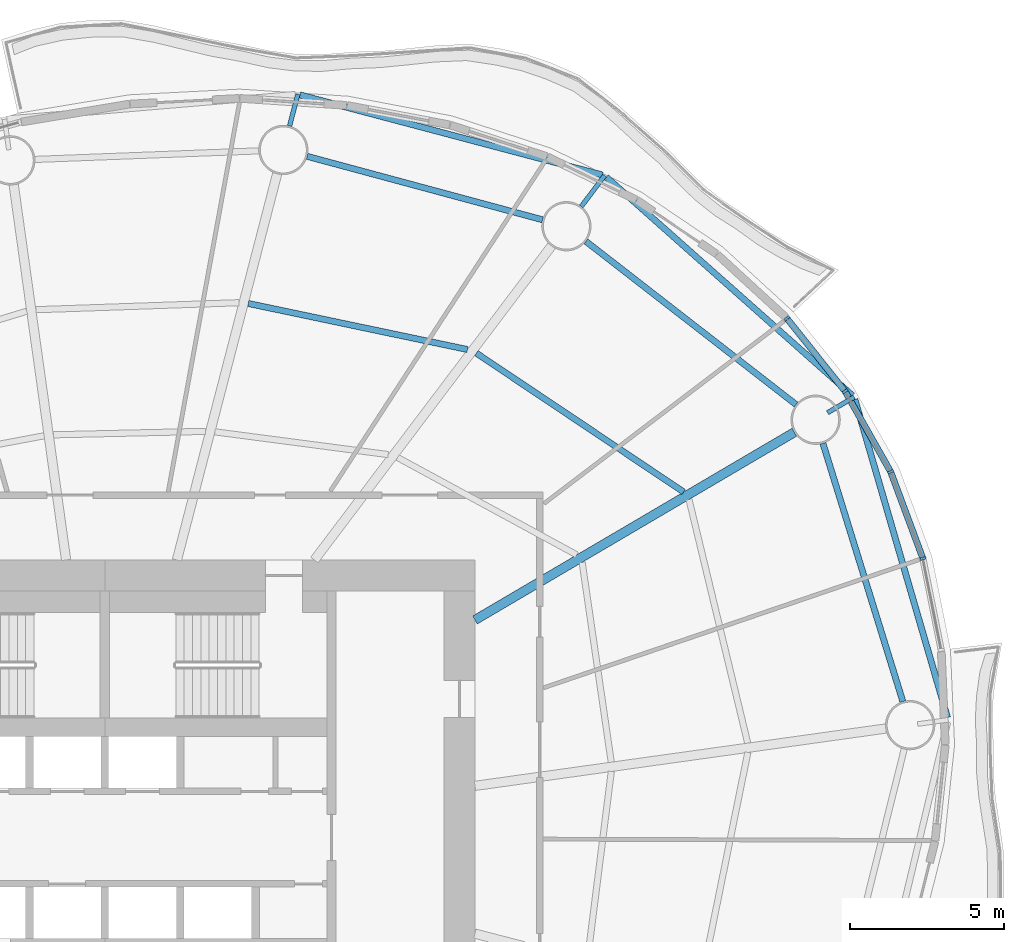
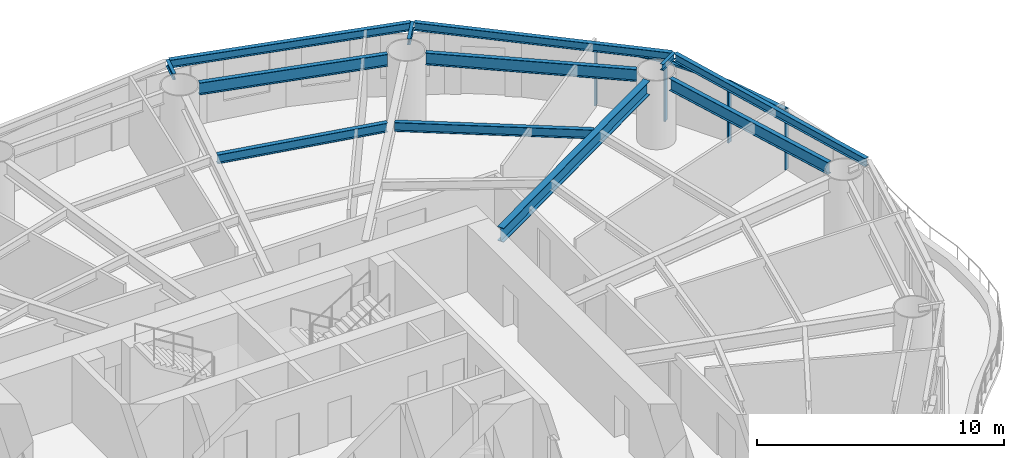
# One storey, part 6 of 14: 12 beams, 7 members, 3 elements without a shape of their own.
"""IFC4 building model written with IfcOpenShell, lengths in metres."""

from ifc_helpers import new_model, si_unit, direction, frame, origin, origin_2d, place, context, subcontext, project, spatial, rectangle, i_section, extrude, material, material_profile, profile_set, type_object, element, aggregate, save


model = new_model("IFC4")

# Units and contexts
model_context = context("Model", 3, precision=1e-05, world=origin(), true_north=direction((0.0, 1.0)))
body_context = subcontext(model_context, "Body", "Model", "MODEL_VIEW")
ifc_project = project(units=[si_unit("LENGTHUNIT", "METRE"), si_unit("AREAUNIT", "SQUARE_METRE"), si_unit("VOLUMEUNIT", "CUBIC_METRE"), si_unit("PLANEANGLEUNIT", "RADIAN"), si_unit("MASSUNIT", "GRAM", prefix="KILO")], contexts=[model_context])

# Site, building, storey
site_placement = place(None, origin())
site = spatial("IfcSite", under=ifc_project, at=site_placement, CompositionType="ELEMENT")
building_placement = place(site_placement, origin())
building = spatial("IfcBuilding", under=site, at=building_placement, Name="Vermilion Reach Broadcast Tower", CompositionType="ELEMENT")
storey_placement = place(building_placement, frame((0.0, 0.0, 131.800048828125)))
storey = spatial("IfcBuildingStorey", under=building, at=storey_placement, Name="L31", CompositionType="ELEMENT", Elevation=131.800048828125)

# Beams
ifc_material_1 = material(Name="Steel S355J2", Category="steel")
ifc_material_profile_1 = material_profile(ifc_material_1, i_section(OverallWidth=0.199951171875, OverallDepth=0.39990234375, WebThickness=0.008056640625, FlangeThickness=0.012939453125, at=origin_2d()), Name="S355J2 HN 400x200x8x13")
ifc_profile_set_1 = profile_set([ifc_material_profile_1], Name="Steel S355J2")
beam_type_1 = type_object("IfcBeamType", Name="EB2 HN 400x200x8x13", PredefinedType="BEAM", material=ifc_profile_set_1)
beam_1_placement = place(storey_placement, frame((18.234619140625, 14.333984375, 3.199951171875), z_axis=(-0.747933286133, 0.66377390691, 0.0), x_axis=(-0.66377390691, -0.747933286133, 0.0)))
element("IfcBeam", 1, at=beam_1_placement, inside=storey, type_object=beam_type_1, Name="Edge beam EB2-01", PredefinedType="BEAM", context=body_context, shape_type="SweptSolid", body=[
    extrude(i_section(OverallWidth=0.199951171875, OverallDepth=0.39990234375, WebThickness=0.008056640625, FlangeThickness=0.012939453125, at=origin_2d()), origin(), (0.0, 0.0, 1.0), 10.663818359375),
])
beam_2_placement = place(storey_placement, frame((10.124267578125, 21.483154296875, 3.199951171875), z_axis=(-0.966673322989, 0.256013059475, 0.0), x_axis=(-0.256013059475, -0.966673322989, 0.0)))
element("IfcBeam", 2, at=beam_2_placement, inside=storey, type_object=beam_type_1, Name="Edge beam EB2-02", PredefinedType="BEAM", context=body_context, shape_type="SweptSolid", body=[
    extrude(i_section(OverallWidth=0.199951171875, OverallDepth=0.39990234375, WebThickness=0.008056640625, FlangeThickness=0.012939453125, at=origin_2d()), origin(), (0.0, 0.0, 1.0), 10.13525390625),
])
beam_3_placement = place(storey_placement, frame((21.3203125, 3.89111328125, 3.199951171875), z_axis=(-0.279657086378, 0.960099950025, 0.0), x_axis=(-0.960099950025, -0.279657086378, 0.0)))
element("IfcBeam", 3, at=beam_3_placement, inside=storey, type_object=beam_type_1, Name="Edge beam EB2-16", PredefinedType="BEAM", context=body_context, shape_type="SweptSolid", body=[
    extrude(i_section(OverallWidth=0.199951171875, OverallDepth=0.39990234375, WebThickness=0.008056640625, FlangeThickness=0.012939453125, at=origin_2d()), origin(), (0.0, 0.0, 1.0), 10.744873046875),
])
ifc_material_2 = material(Name="Steel S355J2", Category="steel")
ifc_material_profile_2 = material_profile(ifc_material_2, i_section(OverallWidth=0.300048828125, OverallDepth=0.699951171875, WebThickness=0.012939453125, FlangeThickness=0.02392578125, at=origin_2d()), Name="S355J2 HN 700x300x13x24")
ifc_profile_set_2 = profile_set([ifc_material_profile_2], Name="Steel S355J2")
beam_type_2 = type_object("IfcBeamType", Name="G2 HN 700x300x13x24", PredefinedType="BEAM", material=ifc_profile_set_2)
beam_4_placement = place(storey_placement, frame((6.0, 7.054443359375, 3.050048828125), z_axis=(0.862071616631, 0.506786471603, 0.0), x_axis=(-0.506786471603, 0.862071616631, 0.0)))
element("IfcBeam", 4, at=beam_4_placement, inside=storey, type_object=beam_type_2, Name="Girder G2-01", PredefinedType="BEAM", context=body_context, shape_type="SweptSolid", body=[
    extrude(i_section(OverallWidth=0.300048828125, OverallDepth=0.699951171875, WebThickness=0.012939453125, FlangeThickness=0.02392578125, at=origin_2d()), origin(), (0.0, 0.0, 1.0), 12.01025390625),
])
ifc_material_3 = material(Name="Steel S355J2", Category="steel")
ifc_material_profile_3 = material_profile(ifc_material_3, i_section(OverallWidth=0.14990234375, OverallDepth=0.300048828125, WebThickness=0.006591796875, FlangeThickness=0.009033203125, at=origin_2d()), Name="S355J2 HN 300x150x6.5x9")
ifc_profile_set_3 = profile_set([ifc_material_profile_3], Name="Steel S355J2")
beam_type_3 = type_object("IfcBeamType", Name="GS2 HN 300x150x6.5x9", PredefinedType="BEAM", material=ifc_profile_set_3)
beam_5_placement = place(storey_placement, frame((17.431640625, 13.774658203125, 3.25), z_axis=(0.862047161964, 0.506828068037, 0.0), x_axis=(-0.506828068037, 0.862047161964, 0.0)))
element("IfcBeam", 5, at=beam_5_placement, inside=storey, type_object=beam_type_3, Name="Cantilever stub GS2-01", PredefinedType="BEAM", context=body_context, shape_type="SweptSolid", body=[
    extrude(i_section(OverallWidth=0.14990234375, OverallDepth=0.300048828125, WebThickness=0.006591796875, FlangeThickness=0.009033203125, at=origin_2d()), origin(), (0.0, 0.0, 1.0), 1.0),
])
beam_6_placement = place(storey_placement, frame((9.4453125, 20.45947265625, 3.25), z_axis=(0.602483974538, 0.798130979492, 0.0), x_axis=(-0.798130979492, 0.602483974538, 0.0)))
element("IfcBeam", 6, at=beam_6_placement, inside=storey, type_object=beam_type_3, Name="Cantilever stub GS2-02", PredefinedType="BEAM", context=body_context, shape_type="SweptSolid", body=[
    extrude(i_section(OverallWidth=0.14990234375, OverallDepth=0.300048828125, WebThickness=0.006591796875, FlangeThickness=0.009033203125, at=origin_2d()), origin(), (0.0, 0.0, 1.0), 1.256591796875),
])
beam_7_placement = place(storey_placement, frame((-0.012451171875, 23.06884765625, 3.25), z_axis=(0.251177484526, 0.967941047413, 0.0), x_axis=(-0.967941047413, 0.251177484526, 0.0)))
element("IfcBeam", 7, at=beam_7_placement, inside=storey, type_object=beam_type_3, Name="Cantilever stub GS2-03", PredefinedType="BEAM", context=body_context, shape_type="SweptSolid", body=[
    extrude(i_section(OverallWidth=0.14990234375, OverallDepth=0.300048828125, WebThickness=0.006591796875, FlangeThickness=0.009033203125, at=origin_2d()), origin(), (0.0, 0.0, 1.0), 1.0625),
])
ifc_material_4 = material(Name="Steel S355J2", Category="steel")
ifc_material_profile_4 = material_profile(ifc_material_4, i_section(OverallWidth=0.199951171875, OverallDepth=0.60009765625, WebThickness=0.010986328125, FlangeThickness=0.01708984375, at=origin_2d()), Name="S355J2 HN 600x200x11x17")
ifc_profile_set_4 = profile_set([ifc_material_profile_4], Name="Steel S355J2")
beam_type_4 = type_object("IfcBeamType", Name="RB2 HN 600x200x11x17", PredefinedType="BEAM", material=ifc_profile_set_4)
beam_8_placement = place(storey_placement, frame((16.41162109375, 14.037109375, 3.099853515625), z_axis=(-0.789825712432, 0.613331349257, 0.0), x_axis=(-0.613331349257, -0.789825712432, 0.0)))
element("IfcBeam", 8, at=beam_8_placement, inside=storey, type_object=beam_type_4, Name="Ring beam RB2-01", PredefinedType="BEAM", context=body_context, shape_type="SweptSolid", body=[
    extrude(i_section(OverallWidth=0.199951171875, OverallDepth=0.60009765625, WebThickness=0.010986328125, FlangeThickness=0.01708984375, at=origin_2d()), origin(), (0.0, 0.0, 1.0), 8.63037109375),
])
beam_9_placement = place(storey_placement, frame((8.19091796875, 20.029296875, 3.099853515625), z_axis=(-0.965541463834, 0.260249268234, 0.0), x_axis=(-0.260249268234, -0.965541463834, 0.0)))
element("IfcBeam", 9, at=beam_9_placement, inside=storey, type_object=beam_type_4, Name="Ring beam RB2-02", PredefinedType="BEAM", context=body_context, shape_type="SweptSolid", body=[
    extrude(i_section(OverallWidth=0.199951171875, OverallDepth=0.60009765625, WebThickness=0.010986328125, FlangeThickness=0.01708984375, at=origin_2d()), origin(), (0.0, 0.0, 1.0), 7.904541015625),
])
beam_10_placement = place(storey_placement, frame((19.872314453125, 4.410400390625, 3.099853515625), z_axis=(-0.295788439635, 0.95525347368, 0.0), x_axis=(-0.95525347368, -0.295788439635, 0.0)))
element("IfcBeam", 10, at=beam_10_placement, inside=storey, type_object=beam_type_4, Name="Ring beam RB2-16", PredefinedType="BEAM", context=body_context, shape_type="SweptSolid", body=[
    extrude(i_section(OverallWidth=0.199951171875, OverallDepth=0.60009765625, WebThickness=0.010986328125, FlangeThickness=0.01708984375, at=origin_2d()), origin(), (0.0, 0.0, 1.0), 8.763916015625),
])
ifc_material_5 = material(Name="Steel S355J2", Category="steel")
ifc_material_profile_5 = material_profile(ifc_material_5, i_section(OverallWidth=0.199951171875, OverallDepth=0.449951171875, WebThickness=0.009033203125, FlangeThickness=0.013916015625, at=origin_2d()), Name="S355J2 HN 450x200x9x14")
ifc_profile_set_5 = profile_set([ifc_material_profile_5], Name="Steel S355J2")
beam_type_5 = type_object("IfcBeamType", Name="SB2 HN 450x200x9x14", PredefinedType="BEAM", material=ifc_profile_set_5)
beam_11_placement = place(storey_placement, frame((12.76416015625, 11.204833984375, 3.175048828125), z_axis=(-0.830915400975, 0.556398774641, 0.0), x_axis=(-0.556398774641, -0.830915400975, 0.0)))
element("IfcBeam", 11, at=beam_11_placement, inside=storey, type_object=beam_type_5, Name="Secondary beam SB2-01-2", PredefinedType="BEAM", context=body_context, shape_type="SweptSolid", body=[
    extrude(i_section(OverallWidth=0.199951171875, OverallDepth=0.449951171875, WebThickness=0.009033203125, FlangeThickness=0.013916015625, at=origin_2d()), origin(), (0.0, 0.0, 1.0), 8.087646484375),
])
beam_12_placement = place(storey_placement, frame((5.7568359375, 15.822509765625, 3.175048828125), z_axis=(-0.978631382549, 0.205622511148, 0.0), x_axis=(-0.205622511148, -0.978631382549, 0.0)))
element("IfcBeam", 12, at=beam_12_placement, inside=storey, type_object=beam_type_5, Name="Secondary beam SB2-02-2", PredefinedType="BEAM", context=body_context, shape_type="SweptSolid", body=[
    extrude(i_section(OverallWidth=0.199951171875, OverallDepth=0.449951171875, WebThickness=0.009033203125, FlangeThickness=0.013916015625, at=origin_2d()), origin(), (0.0, 0.0, 1.0), 7.262939453125),
])

# Curtain wall, member
ifc_material_6 = material(Name="Low-e laminated clear glass in aluminium frame", Category="aluminium")
curtain_wall_type = type_object("IfcCurtainWallType", Name="Slot curtain wall", PredefinedType="NOTDEFINED", material=ifc_material_6)
placement = place(storey_placement, origin())
curtain_wall_1 = element("IfcCurtainWall", 13, at=placement, inside=storey, type_object=curtain_wall_type, Name="Slot curtain wall L31 47", PredefinedType="NOTDEFINED")
ifc_material_7 = material(Name="Anodised aluminium", Category="aluminium")
ifc_material_profile_6 = material_profile(ifc_material_7, rectangle(XDim=0.199951171875, YDim=0.080078125, at=origin_2d()), Name="Slot mullion 80 x 200")
ifc_profile_set_6 = profile_set([ifc_material_profile_6], Name="Anodised aluminium")
member_type_1 = type_object("IfcMemberType", Name="Slot mullion 80 x 200", PredefinedType="MULLION", material=ifc_profile_set_6)
member_1_placement = place(storey_placement, frame((20.5224609375, 9.046630859375, 0.0), z_axis=(0.0, 0.0, 1.0), x_axis=(-0.961974666166, -0.273138685754, 0.0)))
member_1 = element("IfcMember", 14, at=member_1_placement, type_object=member_type_1, Name="Slot mullion L31 47", PredefinedType="MULLION", context=body_context, shape_type="SweptSolid", body=[
    extrude(rectangle(XDim=0.199951171875, YDim=0.080078125, at=origin_2d()), origin(), (0.0, 0.0, 1.0), 3.0),
])

curtain_wall_2 = element("IfcCurtainWall", 15, at=placement, inside=storey, type_object=curtain_wall_type, Name="Slot curtain wall L31 00", PredefinedType="NOTDEFINED")
member_2_placement = place(storey_placement, frame((19.477294921875, 11.858642578125, 0.0), z_axis=(0.0, 0.0, 1.0), x_axis=(-0.906602623564, -0.421985406083, 0.0)))
member_2 = element("IfcMember", 16, at=member_2_placement, type_object=member_type_1, Name="Slot mullion L31 00", PredefinedType="MULLION", context=body_context, shape_type="SweptSolid", body=[
    extrude(rectangle(XDim=0.199951171875, YDim=0.080078125, at=origin_2d()), origin(), (0.0, 0.0, 1.0), 3.0),
])

# Curtain wall, members
curtain_wall_3 = element("IfcCurtainWall", 17, at=placement, inside=storey, type_object=curtain_wall_type, Name="Slot curtain wall L31 01", PredefinedType="NOTDEFINED")
member_3_placement = place(storey_placement, frame((17.998779296875, 14.46875, 0.0), z_axis=(0.0, 0.0, 1.0), x_axis=(-0.828364775024, -0.560189074778, 0.0)))
member_3 = element("IfcMember", 18, at=member_3_placement, type_object=member_type_1, Name="Slot mullion L31 01", PredefinedType="MULLION", context=body_context, shape_type="SweptSolid", body=[
    extrude(rectangle(XDim=0.199951171875, YDim=0.080078125, at=origin_2d()), origin(), (0.0, 0.0, 1.0), 3.0),
])
member_4_placement = place(storey_placement, frame((16.11083984375, 16.833251953125, 0.0), z_axis=(0.0, 0.0, 1.0), x_axis=(-0.730955555801, -0.682425069471, 0.0)))
member_4 = element("IfcMember", 19, at=member_4_placement, type_object=member_type_1, Name="Slot mullion L31 02", PredefinedType="MULLION", context=body_context, shape_type="SweptSolid", body=[
    extrude(rectangle(XDim=0.199951171875, YDim=0.080078125, at=origin_2d()), origin(), (0.0, 0.0, 1.0), 3.0),
])

# Member
ifc_material_8 = material(Name="Anodised aluminium", Category="aluminium")
ifc_material_profile_7 = material_profile(ifc_material_8, rectangle(XDim=0.199951171875, YDim=0.10009765625, at=origin_2d()), Name="Slot transom 200 x 100")
ifc_profile_set_7 = profile_set([ifc_material_profile_7], Name="Anodised aluminium")
member_type_2 = type_object("IfcMemberType", Name="Slot transom 200 x 100", PredefinedType="USERDEFINED", material=ifc_profile_set_7)
member_5_placement = place(storey_placement, frame((20.508544921875, 9.084228515625, 2.949951171875), z_axis=(-0.348327178415, 0.937373019015, 0.0), x_axis=(-0.937373019015, -0.348327178415, 0.0)))
member_5 = element("IfcMember", 20, at=member_5_placement, type_object=member_type_2, Name="Slot transom L31 47.1", ObjectType="TRANSOM", PredefinedType="USERDEFINED", context=body_context, shape_type="SweptSolid", body=[
    extrude(rectangle(XDim=0.199951171875, YDim=0.10009765625, at=origin_2d()), origin(), (0.0, 0.0, 1.0), 2.919921875),
])

aggregate(curtain_wall_1, [member_1, member_5])

member_6_placement = place(storey_placement, frame((19.457763671875, 11.8935546875, 2.949951171875), z_axis=(-0.492938725974, 0.870064027779, 0.0), x_axis=(-0.870064027779, -0.492938725974, 0.0)))
member_6 = element("IfcMember", 21, at=member_6_placement, type_object=member_type_2, Name="Slot transom L31 00.1", ObjectType="TRANSOM", PredefinedType="USERDEFINED", context=body_context, shape_type="SweptSolid", body=[
    extrude(rectangle(XDim=0.199951171875, YDim=0.10009765625, at=origin_2d()), origin(), (0.0, 0.0, 1.0), 2.919677734375),
])

aggregate(curtain_wall_2, [member_2, member_6])

member_7_placement = place(storey_placement, frame((17.973876953125, 14.5, 2.949951171875), z_axis=(-0.623926581875, 0.781482962341, 0.0), x_axis=(-0.781482962341, -0.623926581875, 0.0)))
member_7 = element("IfcMember", 22, at=member_7_placement, type_object=member_type_2, Name="Slot transom L31 01.1", ObjectType="TRANSOM", PredefinedType="USERDEFINED", context=body_context, shape_type="SweptSolid", body=[
    extrude(rectangle(XDim=0.199951171875, YDim=0.10009765625, at=origin_2d()), origin(), (0.0, 0.0, 1.0), 2.94580078125),
])

aggregate(curtain_wall_3, [member_3, member_4, member_7])

save(model, "model.ifc")
